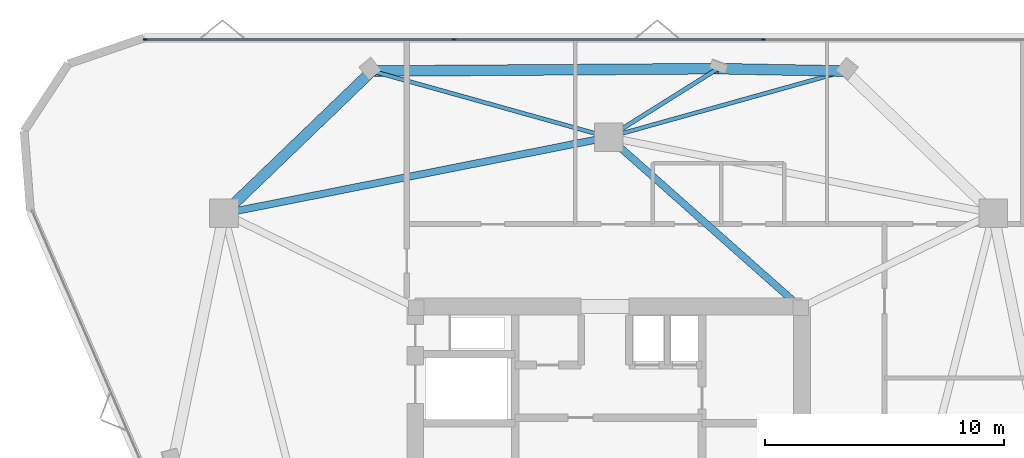
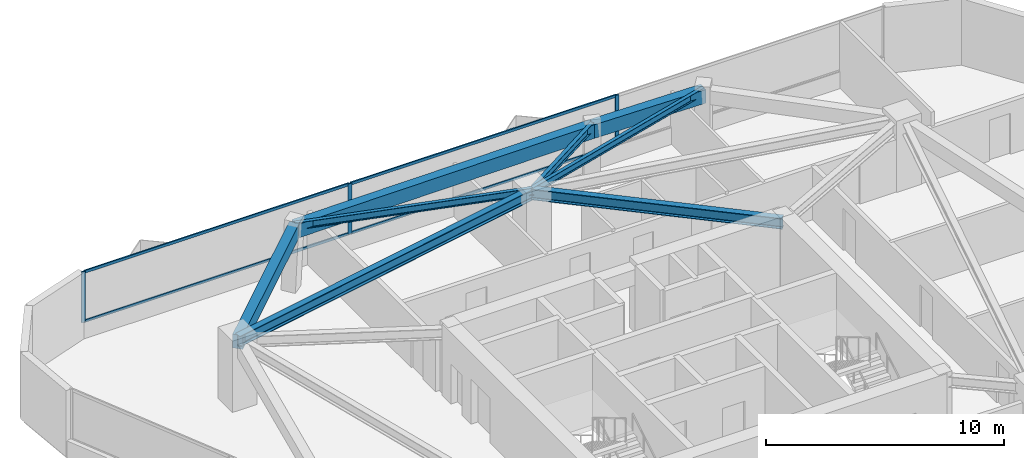
# One storey, part 5 of 10: 8 beams, 7 members, 1 element without a shape of its own.
"""IFC4 building model written with IfcOpenShell, lengths in metres."""

from ifc_helpers import new_model, si_unit, direction, frame, origin, origin_2d, place, context, subcontext, project, spatial, rectangle, i_section, extrude, material, layer, layer_set, material_profile, profile_set, type_object, element, aggregate, save


model = new_model("IFC4")

# Units and contexts
model_context = context("Model", 3, precision=1e-05, world=origin(), true_north=direction((0.0, 1.0)))
body_context = subcontext(model_context, "Body", "Model", "MODEL_VIEW")
ifc_project = project(units=[si_unit("LENGTHUNIT", "METRE"), si_unit("AREAUNIT", "SQUARE_METRE"), si_unit("VOLUMEUNIT", "CUBIC_METRE"), si_unit("PLANEANGLEUNIT", "RADIAN"), si_unit("MASSUNIT", "GRAM", prefix="KILO")], contexts=[model_context])

# Site, building, storey
site_placement = place(None, origin())
site = spatial("IfcSite", under=ifc_project, at=site_placement, CompositionType="ELEMENT")
building_placement = place(site_placement, origin())
building = spatial("IfcBuilding", under=site, at=building_placement, Name="Talyreon Biosciences Tower", CompositionType="ELEMENT")
storey_placement = place(building_placement, frame((0.0, 0.0, 231.60009765625)))
storey = spatial("IfcBuildingStorey", under=building, at=storey_placement, Name="L61", CompositionType="ELEMENT", Elevation=231.60009765625)

# Curtain wall, members
ifc_material_1 = material(Name="Thermally broken aluminium and low-E glazing", Category="aluminium")
ifc_layer = layer(ifc_material_1, 0.175048828125)
ifc_layer_set = layer_set([ifc_layer], Name="Thermally broken aluminium and low-E glazing")
curtain_wall_type = type_object("IfcCurtainWallType", Name="CurtainWall_Zone5CompLab", PredefinedType="NOTDEFINED", material=ifc_layer_set)
curtain_wall_placement = place(storey_placement, origin())
curtain_wall = element("IfcCurtainWall", 1, at=curtain_wall_placement, inside=storey, type_object=curtain_wall_type, Name="L61 Unitised Curtain Wall FCW-L61-04", PredefinedType="NOTDEFINED")
ifc_material_2 = material(Name="Anodised thermally broken aluminium", Category="aluminium")
ifc_material_profile_1 = material_profile(ifc_material_2, rectangle(XDim=0.06494140625, YDim=0.179931640625, at=origin_2d()), Name="ALUM MULLION 65x180")
ifc_profile_set_1 = profile_set([ifc_material_profile_1], Name="Anodised thermally broken aluminium")
member_type_1 = type_object("IfcMemberType", Name="CWMullion_65x180", PredefinedType="MULLION", material=ifc_profile_set_1)
member_1_placement = place(storey_placement, frame((46.597900390625, 85.87158203125, 0.809814453125), z_axis=(0.0, 0.0, 1.0), x_axis=(0.0, 1.0, 0.0)))
member_1 = element("IfcMember", 2, at=member_1_placement, type_object=member_type_1, Name="CW6 mullion 1", PredefinedType="MULLION", context=body_context, shape_type="SweptSolid", body=[
    extrude(rectangle(XDim=0.06494140625, YDim=0.179931640625, at=origin_2d()), origin(), (0.0, 0.0, 1.0), 2.590087890625),
])
member_2_placement = place(storey_placement, frame((59.521728515625, 85.87158203125, 0.809814453125), z_axis=(0.0, 0.0, 1.0), x_axis=(0.0, 1.0, 0.0)))
member_2 = element("IfcMember", 3, at=member_2_placement, type_object=member_type_1, Name="CW6 mullion 2", PredefinedType="MULLION", context=body_context, shape_type="SweptSolid", body=[
    extrude(rectangle(XDim=0.06494140625, YDim=0.179931640625, at=origin_2d()), origin(), (0.0, 0.0, 1.0), 2.590087890625),
])
member_3_placement = place(storey_placement, frame((72.478271484375, 85.87158203125, 0.809814453125), z_axis=(0.0, 0.0, 1.0), x_axis=(0.0, 1.0, 0.0)))
member_3 = element("IfcMember", 4, at=member_3_placement, type_object=member_type_1, Name="CW6 mullion 3", PredefinedType="MULLION", context=body_context, shape_type="SweptSolid", body=[
    extrude(rectangle(XDim=0.06494140625, YDim=0.179931640625, at=origin_2d()), origin(), (0.0, 0.0, 1.0), 2.590087890625),
])
ifc_material_profile_2 = material_profile(ifc_material_2, rectangle(XDim=0.06494140625, YDim=0.139892578125, at=origin_2d()), Name="ALUM TRANSOM 65x140")
ifc_profile_set_2 = profile_set([ifc_material_profile_2], Name="Anodised thermally broken aluminium")
member_type_2 = type_object("IfcMemberType", Name="CWTransom_65x140", PredefinedType="USERDEFINED", material=ifc_profile_set_2)
member_4_placement = place(storey_placement, frame((46.63037109375, 85.87158203125, 0.84228515625), z_axis=(1.0, 0.0, 0.0), x_axis=(0.0, 1.0, 0.0)))
member_4 = element("IfcMember", 5, at=member_4_placement, type_object=member_type_2, Name="CW6 transom 1.1", ObjectType="TRANSOM", PredefinedType="USERDEFINED", context=body_context, shape_type="SweptSolid", body=[
    extrude(rectangle(XDim=0.06494140625, YDim=0.139892578125, at=origin_2d()), origin(), (0.0, 0.0, 1.0), 12.85888671875),
])
member_5_placement = place(storey_placement, frame((46.63037109375, 85.87158203125, 3.367431640625), z_axis=(1.0, 0.0, 0.0), x_axis=(0.0, 1.0, 0.0)))
member_5 = element("IfcMember", 6, at=member_5_placement, type_object=member_type_2, Name="CW6 transom 1.2", ObjectType="TRANSOM", PredefinedType="USERDEFINED", context=body_context, shape_type="SweptSolid", body=[
    extrude(rectangle(XDim=0.06494140625, YDim=0.139892578125, at=origin_2d()), origin(), (0.0, 0.0, 1.0), 12.85888671875),
])
member_6_placement = place(storey_placement, frame((59.55419921875, 85.87158203125, 0.84228515625), z_axis=(1.0, 0.0, 0.0), x_axis=(0.0, 1.0, 0.0)))
member_6 = element("IfcMember", 7, at=member_6_placement, type_object=member_type_2, Name="CW6 transom 2.1", ObjectType="TRANSOM", PredefinedType="USERDEFINED", context=body_context, shape_type="SweptSolid", body=[
    extrude(rectangle(XDim=0.06494140625, YDim=0.139892578125, at=origin_2d()), origin(), (0.0, 0.0, 1.0), 12.8916015625),
])
member_7_placement = place(storey_placement, frame((59.55419921875, 85.87158203125, 3.367431640625), z_axis=(1.0, 0.0, 0.0), x_axis=(0.0, 1.0, 0.0)))
member_7 = element("IfcMember", 8, at=member_7_placement, type_object=member_type_2, Name="CW6 transom 2.2", ObjectType="TRANSOM", PredefinedType="USERDEFINED", context=body_context, shape_type="SweptSolid", body=[
    extrude(rectangle(XDim=0.06494140625, YDim=0.139892578125, at=origin_2d()), origin(), (0.0, 0.0, 1.0), 12.8916015625),
])
aggregate(curtain_wall, [member_1, member_2, member_3, member_4, member_5, member_6, member_7])

# Beams
ifc_material_3 = material(Name="Precast concrete C45/55", Category="concrete")
ifc_material_profile_3 = material_profile(ifc_material_3, rectangle(XDim=0.449951171875, YDim=0.699951171875, at=origin_2d()), Name="RCB 450x700")
ifc_profile_set_3 = profile_set([ifc_material_profile_3], Name="Precast concrete C45/55")
beam_type_1 = type_object("IfcBeamType", Name="ExpressedSpandrel_450x700", PredefinedType="SPANDREL", material=ifc_profile_set_3)
beam_1_placement = place(storey_placement, frame((75.909912109375, 84.556884765625, 3.0498046875), z_axis=(-0.999824109648, 0.018754993135, 0.0), x_axis=(-0.018754993135, -0.999824109648, 0.0)))
element("IfcBeam", 9, at=beam_1_placement, inside=storey, type_object=beam_type_1, Name="L61 Expressed Horizontal Concrete Spandrel 06", PredefinedType="SPANDREL", context=body_context, shape_type="SweptSolid", body=[
    extrude(rectangle(XDim=0.449951171875, YDim=0.699951171875, at=origin_2d()), origin(), (0.0, 0.0, 1.0), 5.337158203125),
])
beam_2_placement = place(storey_placement, frame((70.57373046875, 84.656982421875, 3.0498046875), z_axis=(-0.999976119321, -0.006910917976, 0.0), x_axis=(0.006910917976, -0.999976119321, 0.0)))
element("IfcBeam", 10, at=beam_2_placement, inside=storey, type_object=beam_type_1, Name="L61 Expressed Horizontal Concrete Spandrel 07", PredefinedType="SPANDREL", context=body_context, shape_type="SweptSolid", body=[
    extrude(rectangle(XDim=0.449951171875, YDim=0.699951171875, at=origin_2d()), origin(), (0.0, 0.0, 1.0), 14.48388671875),
])
beam_3_placement = place(storey_placement, frame((56.090087890625, 84.556884765625, 3.0498046875), z_axis=(-0.720598272996, -0.693352817082, 0.0), x_axis=(0.693352817082, -0.720598272996, 0.0)))
element("IfcBeam", 11, at=beam_3_placement, inside=storey, type_object=beam_type_1, Name="L61 Expressed Horizontal Concrete Spandrel 08", PredefinedType="SPANDREL", context=body_context, shape_type="SweptSolid", body=[
    extrude(rectangle(XDim=0.449951171875, YDim=0.699951171875, at=origin_2d()), origin(), (0.0, 0.0, 1.0), 8.593505859375),
])
ifc_material_4 = material(Name="Steel SM355", Category="steel")
ifc_material_profile_4 = material_profile(ifc_material_4, i_section(OverallWidth=0.300048828125, OverallDepth=0.550048828125, WebThickness=0.014892578125, FlangeThickness=0.029052734375, FilletRadius=0.027099609375, at=origin_2d()), Name="HE550B")
ifc_profile_set_4 = profile_set([ifc_material_profile_4], Name="Steel SM355")
beam_type_2 = type_object("IfcBeamType", Name="SteelBeam_HE550B", PredefinedType="BEAM", material=ifc_profile_set_4)
beam_4_placement = place(storey_placement, frame((66.0, 81.788818359375, 3.125), z_axis=(-0.980933730698, -0.194342522311, 0.0), x_axis=(0.194342522311, -0.980933730698, 0.0)))
element("IfcBeam", 12, at=beam_4_placement, inside=storey, type_object=beam_type_2, Name="L61 Mega-Ring Girder 4", PredefinedType="BEAM", context=body_context, shape_type="SweptSolid", body=[
    extrude(i_section(OverallWidth=0.300048828125, OverallDepth=0.550048828125, WebThickness=0.014892578125, FlangeThickness=0.029052734375, FilletRadius=0.027099609375, at=origin_2d()), origin(), (0.0, 0.0, 1.0), 16.415283203125),
])
beam_5_placement = place(storey_placement, frame((74.050048828125, 74.64990234375, 3.125), z_axis=(-0.748178733955, 0.663497235908, 0.0), x_axis=(-0.663497235908, -0.748178733955, 0.0)))
element("IfcBeam", 13, at=beam_5_placement, inside=storey, type_object=beam_type_2, Name="L61 Radial Primary Girder 4", PredefinedType="BEAM", context=body_context, shape_type="SweptSolid", body=[
    extrude(i_section(OverallWidth=0.300048828125, OverallDepth=0.550048828125, WebThickness=0.014892578125, FlangeThickness=0.029052734375, FilletRadius=0.027099609375, at=origin_2d()), origin(), (0.0, 0.0, 1.0), 10.759521484375),
])
ifc_material_profile_5 = material_profile(ifc_material_4, i_section(OverallWidth=0.169921875, OverallDepth=0.360107421875, WebThickness=0.008056640625, FlangeThickness=0.0126953125, FilletRadius=0.01806640625, at=origin_2d()), Name="IPE360")
ifc_profile_set_5 = profile_set([ifc_material_profile_5], Name="Steel SM355")
beam_type_3 = type_object("IfcBeamType", Name="SteelJoist_IPE360", PredefinedType="JOIST", material=ifc_profile_set_5)
for number, where, z_axis, x_axis, name in (
    (14, (66.0, 81.788818359375, 3.219970703125), (0.963133127745, 0.26902523718, 0.0), (-0.26902523718, 0.963133127745, 0.0), "L61 Radial Composite Floor Joist PC-N1"),
    (15, (66.0, 81.788818359375, 3.219970703125), (-0.963133127745, 0.26902523718, 0.0), (-0.26902523718, -0.963133127745, 0.0), "L61 Radial Composite Floor Joist PC-N2"),
):
    element("IfcBeam", number, at=place(storey_placement, frame(where, z_axis=z_axis, x_axis=x_axis)), inside=storey, type_object=beam_type_3, Name=name, PredefinedType="JOIST", context=body_context, shape_type="SweptSolid", body=[
        extrude(i_section(OverallWidth=0.169921875, OverallDepth=0.360107421875, WebThickness=0.008056640625, FlangeThickness=0.0126953125, FilletRadius=0.01806640625, at=origin_2d()), origin(), (0.0, 0.0, 1.0), 10.289306640625),
    ])
ifc_material_profile_6 = material_profile(ifc_material_4, i_section(OverallWidth=0.179931640625, OverallDepth=0.39990234375, WebThickness=0.008544921875, FlangeThickness=0.013427734375, FilletRadius=0.02099609375, at=origin_2d()), Name="IPE400")
ifc_profile_set_6 = profile_set([ifc_material_profile_6], Name="Steel SM355")
beam_type_4 = type_object("IfcBeamType", Name="SteelJoist_IPE400", PredefinedType="JOIST", material=ifc_profile_set_6)
beam_6_placement = place(storey_placement, frame((66.0, 81.788818359375, 3.199951171875), z_axis=(0.847199596968, 0.531274733916, 0.0), x_axis=(-0.531274733916, 0.847199596968, 0.0)))
element("IfcBeam", 16, at=beam_6_placement, inside=storey, type_object=beam_type_4, Name="L61 Radial Composite Floor Joist PL-N", PredefinedType="JOIST", context=body_context, shape_type="SweptSolid", body=[
    extrude(i_section(OverallWidth=0.179931640625, OverallDepth=0.39990234375, WebThickness=0.008544921875, FlangeThickness=0.013427734375, FilletRadius=0.02099609375, at=origin_2d()), origin(), (0.0, 0.0, 1.0), 5.398681640625),
])

save(model, "model.ifc")
